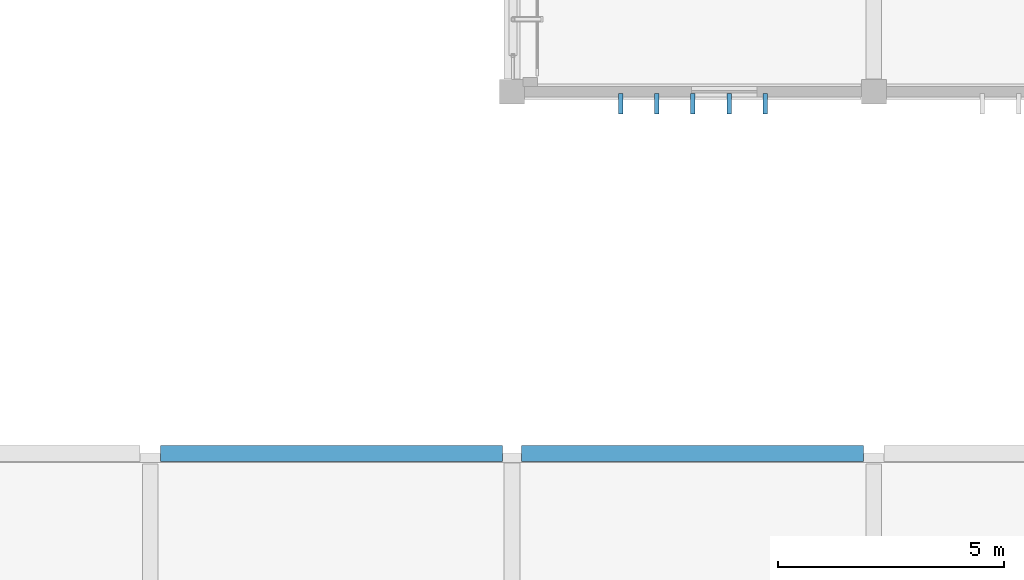
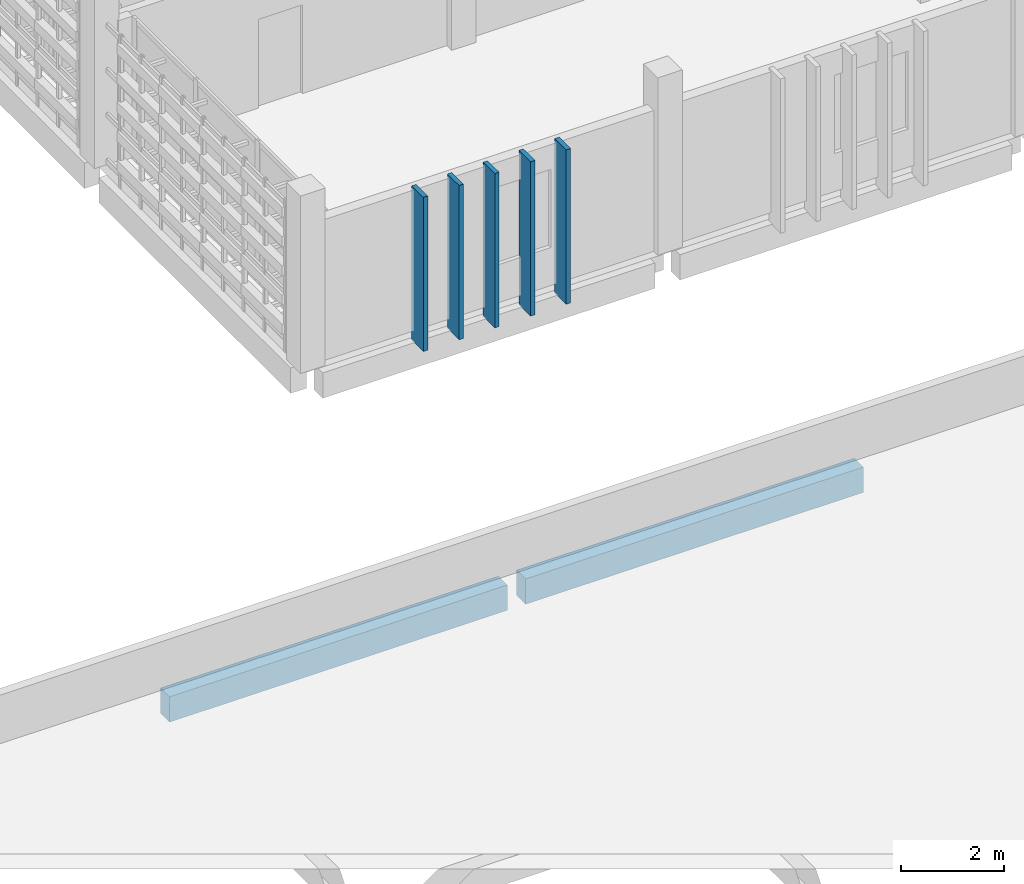
# One storey, part 9 of 48: 5 members, 2 beams.
"""IFC4 building model written with IfcOpenShell, lengths in metres."""

from ifc_helpers import new_model, si_unit, direction, frame, origin, origin_2d, place, context, subcontext, project, spatial, rectangle, extrude, material, material_profile, profile_set, type_object, element, save


model = new_model("IFC4")

# Units and contexts
model_context = context("Model", 3, precision=1e-05, world=origin(), true_north=direction((0.0, 1.0)))
body_context = subcontext(model_context, "Body", "Model", "MODEL_VIEW")
ifc_project = project(units=[si_unit("LENGTHUNIT", "METRE"), si_unit("AREAUNIT", "SQUARE_METRE"), si_unit("VOLUMEUNIT", "CUBIC_METRE"), si_unit("PLANEANGLEUNIT", "RADIAN"), si_unit("MASSUNIT", "GRAM", prefix="KILO")], contexts=[model_context])

# Site, building, storey
site_placement = place(None, origin())
site = spatial("IfcSite", under=ifc_project, at=site_placement, CompositionType="ELEMENT")
building_placement = place(site_placement, origin())
building = spatial("IfcBuilding", under=site, at=building_placement, Name="Jelvoka-Kovrelna Polytechnic", CompositionType="ELEMENT")
storey_placement = place(building_placement, frame((0.0, 0.0, 22.199951171875)))
storey = spatial("IfcBuildingStorey", under=building, at=storey_placement, Name="L06", CompositionType="ELEMENT", Elevation=22.199951171875)

# Members
ifc_material_1 = material(Name="Precast concrete C40/50", Category="concrete")
ifc_material_profile_1 = material_profile(ifc_material_1, rectangle(XDim=0.10009765625, YDim=0.449951171875, at=origin_2d()), Name="PC 100x450")
ifc_profile_set_1 = profile_set([ifc_material_profile_1], Name="Precast concrete C40/50")
member_type = type_object("IfcMemberType", Name="Louvre_Fin_100x450", PredefinedType="USERDEFINED", material=ifc_profile_set_1)
for number, where, z_axis, x_axis, name in (
    (1, (130.39990234375, 31.735107421875, -0.27001953125), (0.0, 0.0, 1.0), (1.0, 0.0, 0.0), "L06 B2E south vertical solar louvre fin 1076"),
    (2, (131.199951171875, 31.735107421875, -0.27001953125), (0.0, 0.0, 1.0), (1.0, 0.0, 0.0), "L06 B2E south vertical solar louvre fin 1077"),
    (3, (132.0, 31.735107421875, -0.27001953125), (0.0, 0.0, 1.0), (1.0, 0.0, 0.0), "L06 B2E south vertical solar louvre fin 1078"),
    (4, (132.800048828125, 31.735107421875, -0.27001953125), (0.0, 0.0, 1.0), (1.0, 0.0, 0.0), "L06 B2E south vertical solar louvre fin 1079"),
    (5, (133.60009765625, 31.735107421875, -0.27001953125), (0.0, 0.0, 1.0), (1.0, 0.0, 0.0), "L06 B2E south vertical solar louvre fin 1080"),
):
    element("IfcMember", number, at=place(storey_placement, frame(where, z_axis=z_axis, x_axis=x_axis)), inside=storey, type_object=member_type, Name=name, ObjectType="SUNSHADE", PredefinedType="USERDEFINED", context=body_context, shape_type="SweptSolid", body=[
        extrude(rectangle(XDim=0.10009765625, YDim=0.449951171875, at=origin_2d()), origin(), (0.0, 0.0, 1.0), 3.655029296875),
    ])

# Beams
ifc_material_2 = material(Name="Concrete C40/50", Category="concrete")
ifc_material_profile_2 = material_profile(ifc_material_2, rectangle(XDim=0.35009765625, YDim=0.60009765625, at=origin_2d()), Name="RC 350x600")
ifc_profile_set_2 = profile_set([ifc_material_profile_2], Name="Concrete C40/50")
beam_type = type_object("IfcBeamType", Name="Spandrel_RC_350x600", PredefinedType="SPANDREL", material=ifc_profile_set_2)
for number, where, z_axis, x_axis, name in (
    (6, (120.22998046875, 24.0, -0.5400390625), (1.0, 0.0, 0.0), (0.0, 1.0, 0.0), "L06 beam 2130"),
    (7, (128.205078125, 24.0, -0.5400390625), (1.0, 0.0, 0.0), (0.0, 1.0, 0.0), "L06 beam 2131"),
):
    element("IfcBeam", number, at=place(storey_placement, frame(where, z_axis=z_axis, x_axis=x_axis)), inside=storey, type_object=beam_type, Name=name, PredefinedType="SPANDREL", context=body_context, shape_type="SweptSolid", body=[
        extrude(rectangle(XDim=0.35009765625, YDim=0.60009765625, at=origin_2d()), origin(), (0.0, 0.0, 1.0), 7.56494140625),
    ])

save(model, "model.ifc")
